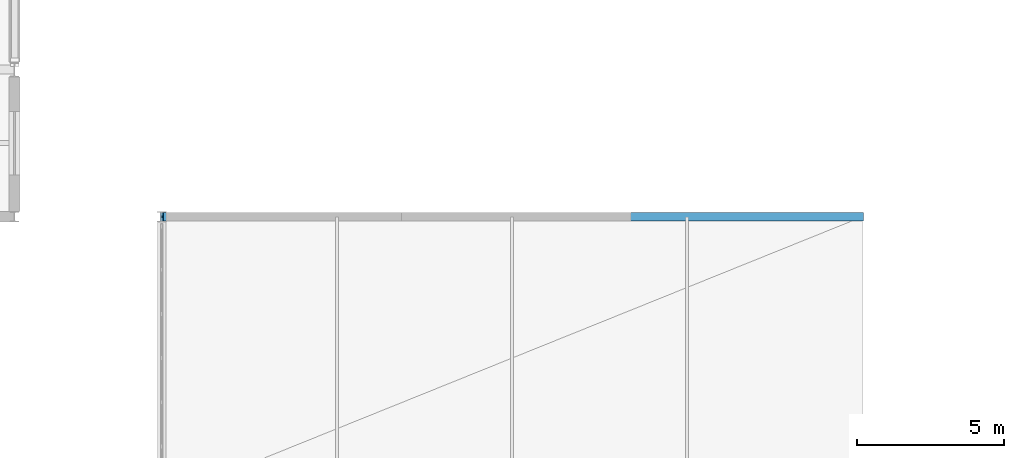
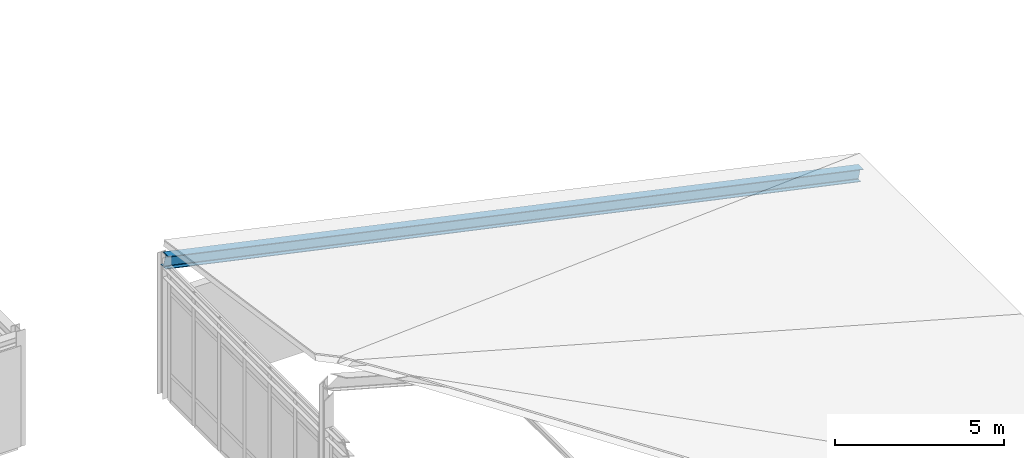
# One storey, part 38 of 64: 1 member.
"""IFC4 building model written with IfcOpenShell, lengths in metres."""

import ifcopenshell
import ifcopenshell.guid

model = None  # the IFC model being written
_history = None  # IfcOwnerHistory: only IFC2X3 demands one
_inside = {}  # id of a spatial element -> (the spatial element, [elements in it])
_under = {}  # id of a project, library or spatial element -> (it, [spatial elements below it])
_declared = {}  # id of a project -> (the project, [libraries it declares])
_typed = {}  # id of a type object -> (the type object, [elements of that type])
_made_of = {}  # id of a material, layer set ... -> (it, [elements and type objects made of it])


def new_model(schema):
    """Start an empty IFC model of exactly this schema.

    Asked for "IFC4X3", IfcOpenShell would pick the latest addendum, in which some entities
    have other attributes; the version numbers below select the first issue.
    IFC2X3 requires an IfcOwnerHistory on every rooted entity: one is made here for all.
    """
    global model, _history
    if schema == "IFC4X3":
        model = ifcopenshell.file(schema_version=(4, 3, 0, 0))
    else:
        model = ifcopenshell.file(schema=schema)
    _inside.clear()
    _under.clear()
    _declared.clear()
    _typed.clear()
    _made_of.clear()
    _history = None
    if model.schema == "IFC2X3":
        org = make("IfcOrganization", Name="unknown")
        user = make(
            "IfcPersonAndOrganization",
            ThePerson=make("IfcPerson", FamilyName="unknown"),
            TheOrganization=org,
        )
        app = make(
            "IfcApplication",
            ApplicationDeveloper=org,
            Version="unknown",
            ApplicationFullName="unknown",
            ApplicationIdentifier="unknown",
        )
        _history = make(
            "IfcOwnerHistory",
            OwningUser=user,
            OwningApplication=app,
            ChangeAction="ADDED",
            CreationDate=0,
        )
    return model


def make(cls, **values):
    """One entity of the class cls with the attributes given. An attribute that is None is left unset."""
    return model.create_entity(
        cls, **{name: value for name, value in values.items() if value is not None}
    )


def rooted(cls, **values):
    """An entity with a GlobalId (a new one), such as an element, a storey or a relation."""
    return make(cls, GlobalId=ifcopenshell.guid.new(), OwnerHistory=_history, **values)


def si_unit(unit_type, name, prefix=None):
    """IfcSIUnit, for example si_unit("LENGTHUNIT", "METRE", prefix="MILLI")."""
    return make("IfcSIUnit", UnitType=unit_type, Prefix=prefix, Name=name)


def assignment(units):
    """IfcUnitAssignment: the units of a project."""
    return None if units is None else make("IfcUnitAssignment", Units=units)


def point(xyz):
    """IfcCartesianPoint."""
    return None if xyz is None else make("IfcCartesianPoint", Coordinates=xyz)


def direction(xyz):
    """IfcDirection."""
    return None if xyz is None else make("IfcDirection", DirectionRatios=xyz)


def frame(location, z_axis=None, x_axis=None):
    """IfcAxis2Placement3D, a coordinate frame: its origin and axes. An axis left out is left unset."""
    return make(
        "IfcAxis2Placement3D",
        Location=point(location),
        Axis=direction(z_axis),
        RefDirection=direction(x_axis),
    )


def frame_2d(location, x_axis=None):
    """IfcAxis2Placement2D, a coordinate frame in the plane: its origin and x axis."""
    return make(
        "IfcAxis2Placement2D", Location=point(location), RefDirection=direction(x_axis)
    )


def origin():
    """The frame at (0, 0, 0) with its axes left unset."""
    return frame((0.0, 0.0, 0.0))


def origin_2d():
    """The frame at (0, 0) in the plane with its x axis left unset."""
    return frame_2d((0.0, 0.0))


def place(relative_to, where):
    """IfcLocalPlacement: puts the frame where relative to a parent placement (None: the world)."""
    return make(
        "IfcLocalPlacement", PlacementRelTo=relative_to, RelativePlacement=where
    )


def context(
    kind, dimensions, precision=None, world=None, true_north=None, identifier=None
):
    """IfcGeometricRepresentationContext, for example the 3D "Model" context."""
    return make(
        "IfcGeometricRepresentationContext",
        ContextIdentifier=identifier,
        ContextType=kind,
        CoordinateSpaceDimension=dimensions,
        Precision=precision,
        WorldCoordinateSystem=world,
        TrueNorth=true_north,
    )


def subcontext(parent, identifier, kind, view, scale=None):
    """IfcGeometricRepresentationSubContext, for example "Body" below "Model"."""
    return make(
        "IfcGeometricRepresentationSubContext",
        ContextIdentifier=identifier,
        ContextType=kind,
        ParentContext=parent,
        TargetScale=scale,
        TargetView=view,
    )


def project(units=None, contexts=None):
    """IfcProject with its units and contexts."""
    return rooted(
        "IfcProject",
        Name="project",
        RepresentationContexts=contexts,
        UnitsInContext=assignment(units),
    )


def spatial(cls, under=None, at=None, **own):
    """A site, building, storey or space (cls), placed at a placement, below another one or the project."""
    s = rooted(cls, ObjectPlacement=at, **own)
    if under is not None:
        _under.setdefault(under.id(), (under, []))[1].append(s)
    return s


def profile(cls, at=None, kind="AREA", **sizes):
    """A parametric profile (cls). Its sizes go by their IFC names, for example OverallWidth=200.0."""
    return make(cls, ProfileType=kind, Position=at, **sizes)


def i_section(**sizes):
    """IfcIShapeProfileDef."""
    return profile("IfcIShapeProfileDef", **sizes)


def extrude(swept, where, along, depth):
    """IfcExtrudedAreaSolid: the profile swept, set in the frame where, extruded along a direction by depth."""
    return make(
        "IfcExtrudedAreaSolid",
        SweptArea=swept,
        Position=where,
        ExtrudedDirection=direction(along),
        Depth=depth,
    )


def shape(context_of_items, identifier, shape_type, items):
    """IfcShapeRepresentation: the items that make up one representation, for example the "Body"."""
    return make(
        "IfcShapeRepresentation",
        ContextOfItems=context_of_items,
        RepresentationIdentifier=identifier,
        RepresentationType=shape_type,
        Items=items,
    )


def material(Name=None, Category=None):
    """IfcMaterial."""
    return make("IfcMaterial", Name=Name, Category=Category)


def material_profile(
    of_material, cross_section, Name=None, Category=None, Priority=None
):
    """IfcMaterialProfile: a cross section and its material."""
    return make(
        "IfcMaterialProfile",
        Name=Name,
        Material=of_material,
        Profile=cross_section,
        Priority=Priority,
        Category=Category,
    )


def profile_set(profiles, Name=None, composite=None):
    """IfcMaterialProfileSet."""
    return make(
        "IfcMaterialProfileSet",
        Name=Name,
        MaterialProfiles=profiles,
        CompositeProfile=composite,
    )


def made_of(thing, what):
    """Note that an element or type object is made of a material, layer set ...; save() writes the relation."""
    if what is not None:
        _made_of.setdefault(what.id(), (what, []))[1].append(thing)
    return thing


def type_object(cls, material=None, **own):
    """A type object (cls), such as IfcWallType, which elements share."""
    return made_of(rooted(cls, **own), material)


def element(
    cls,
    number,
    at=None,
    inside=None,
    cuts=None,
    type_object=None,
    material=None,
    context=None,
    identifier="Body",
    shape_type=None,
    held_by="IfcProductDefinitionShape",
    body=None,
    shapes=None,
    **own,
):
    """One element of the class cls, such as IfcWall. Its Tag is "e" and its number.

    at: its placement. inside: the storey or other place that contains it. cuts: it is an
    opening in that element (IfcRelVoidsElement). A single representation is given by context,
    identifier, shape_type and body (its items); several are given by shapes. held_by: the class
    of the entity that holds the representations. save() writes the other relations.
    """
    e = rooted(cls, Tag="e%d" % number, ObjectPlacement=at, **own)
    if body is not None:
        shapes = [shape(context, identifier, shape_type, body)]
    if shapes is not None:
        e.Representation = make(held_by, Representations=shapes)
    if inside is not None:
        _inside.setdefault(inside.id(), (inside, []))[1].append(e)
    if cuts is not None:
        rooted(
            "IfcRelVoidsElement", RelatingBuildingElement=cuts, RelatedOpeningElement=e
        )
    if type_object is not None:
        _typed.setdefault(type_object.id(), (type_object, []))[1].append(e)
    return made_of(e, material)


def aggregate(whole, parts):
    """IfcRelAggregates: a whole, such as a stair, and the parts it consists of."""
    return rooted("IfcRelAggregates", RelatingObject=whole, RelatedObjects=parts)


def save(model, path):
    """Write the relations noted so far, then the file.

    IfcRelAggregates (storeys below a building ...), IfcRelContainedInSpatialStructure (elements
    in a storey), IfcRelDefinesByType, IfcRelAssociatesMaterial and IfcRelDeclares: one each for
    every whole, place, type object, material and project.
    """
    for whole, parts in _under.values():
        aggregate(whole, parts)
    for where, things in _inside.values():
        rooted(
            "IfcRelContainedInSpatialStructure",
            RelatedElements=things,
            RelatingStructure=where,
        )
    for kind, things in _typed.values():
        rooted("IfcRelDefinesByType", RelatedObjects=things, RelatingType=kind)
    for what, things in _made_of.values():
        rooted("IfcRelAssociatesMaterial", RelatedObjects=things, RelatingMaterial=what)
    for by, libraries in _declared.values():
        rooted("IfcRelDeclares", RelatingContext=by, RelatedDefinitions=libraries)
    model.write(path)


model = new_model("IFC4")

# Units and contexts
model_context = context("Model", 3, precision=1e-05, world=origin(), true_north=direction((0.0, 1.0)))
body_context = subcontext(model_context, "Body", "Model", "MODEL_VIEW")
ifc_project = project(units=[si_unit("LENGTHUNIT", "METRE"), si_unit("AREAUNIT", "SQUARE_METRE"), si_unit("VOLUMEUNIT", "CUBIC_METRE"), si_unit("PLANEANGLEUNIT", "RADIAN"), si_unit("MASSUNIT", "GRAM", prefix="KILO")], contexts=[model_context])

# Site, building, storey
site_placement = place(None, origin())
site = spatial("IfcSite", under=ifc_project, at=site_placement, CompositionType="ELEMENT")
building_placement = place(site_placement, origin())
building = spatial("IfcBuilding", under=site, at=building_placement, Name="Nordkorset Police Headquarters", CompositionType="ELEMENT")
storey_placement = place(building_placement, frame((0.0, 0.0, 17.85009765625)))
storey = spatial("IfcBuildingStorey", under=building, at=storey_placement, Name="L04", CompositionType="ELEMENT", Elevation=17.85009765625)

# Member
ifc_material = material(Name="Steel S355J2", Category="steel")
ifc_material_profile = material_profile(ifc_material, i_section(OverallWidth=0.300048828125, OverallDepth=0.43994140625, WebThickness=0.011474609375, FlangeThickness=0.02099609375, FilletRadius=0.027099609375, at=origin_2d()), Name="HEA 450")
ifc_profile_set = profile_set([ifc_material_profile], Name="Steel S355J2")
member_type = type_object("IfcMemberType", Name="Rafter_HEA_450", PredefinedType="RAFTER", material=ifc_profile_set)
member_placement = place(storey_placement, frame((91.407958984375, 97.60009765625, 4.869873046875), z_axis=(0.977265909233, 0.0, -0.212017316865), x_axis=(0.0, 1.0, 0.0)))
element("IfcMember", 1, at=member_placement, inside=storey, type_object=member_type, Name="Gymnasium Folded Roof Rafter 6", PredefinedType="RAFTER", context=body_context, shape_type="SweptSolid", body=[
    extrude(i_section(OverallWidth=0.300048828125, OverallDepth=0.43994140625, WebThickness=0.011474609375, FlangeThickness=0.02099609375, FilletRadius=0.027099609375, at=origin_2d()), origin(), (0.0, 0.0, 1.0), 24.337158203125),
])

save(model, "model.ifc")
